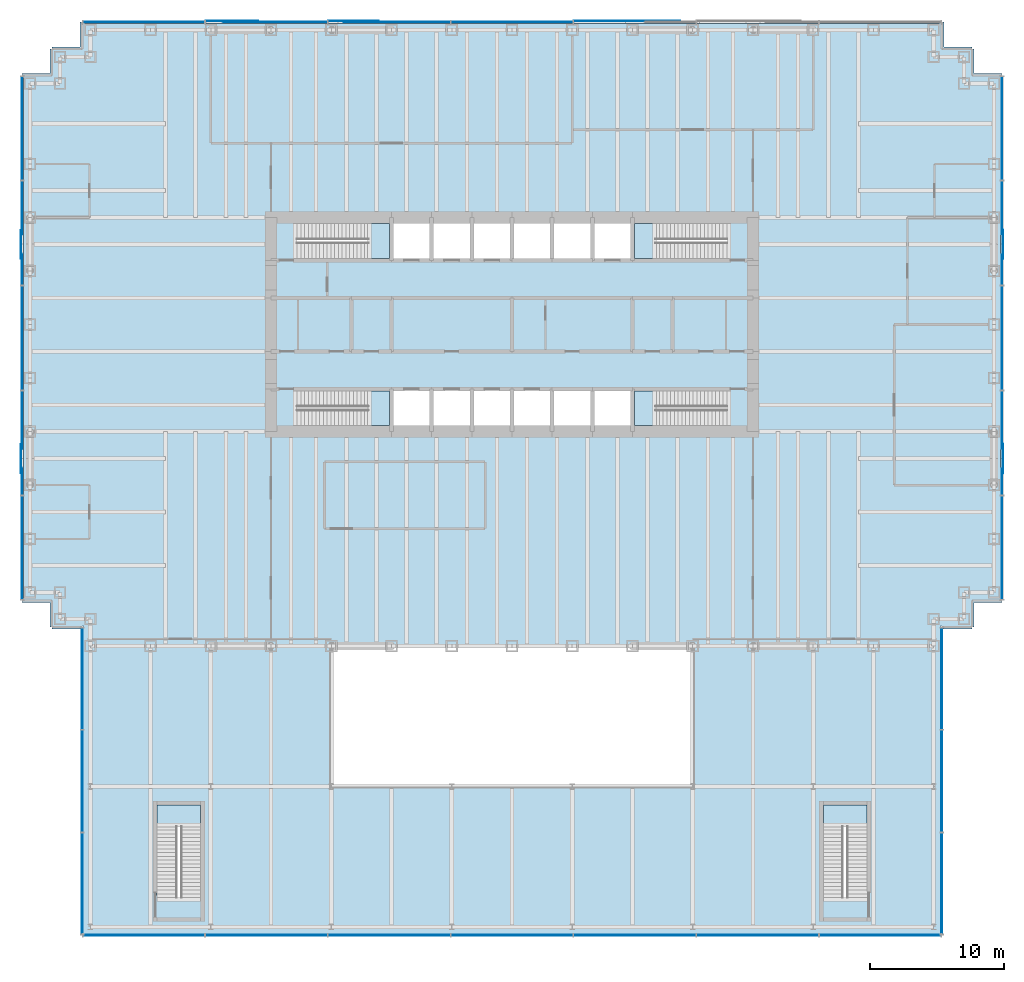
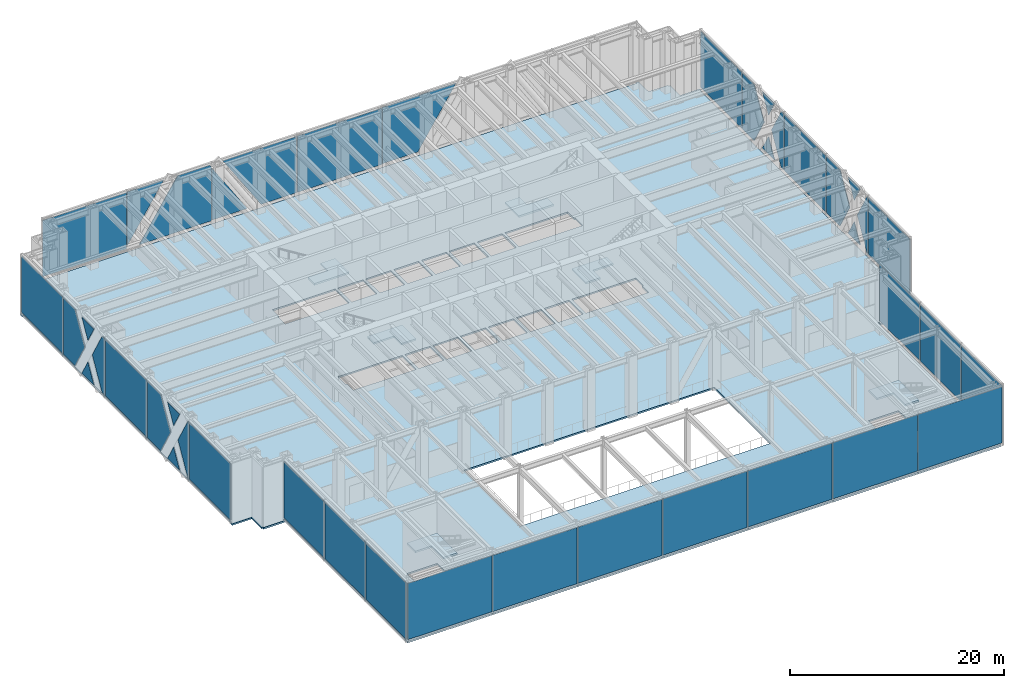
# One storey, part 11 of 17: 42 plates, 7 slabs, 12 elements without a shape of their own.
"""IFC4 building model written with IfcOpenShell, lengths in metres."""

from ifc_helpers import new_model, si_unit, direction, frame, origin, origin_2d, place, context, subcontext, project, spatial, polyline, rectangle, outline, extrude, material, layer, layer_set, type_object, element, aggregate, save


model = new_model("IFC4")

# Units and contexts
model_context = context("Model", 3, precision=1e-05, world=origin(), true_north=direction((0.0, 1.0)))
body_context = subcontext(model_context, "Body", "Model", "MODEL_VIEW")
ifc_project = project(units=[si_unit("LENGTHUNIT", "METRE"), si_unit("AREAUNIT", "SQUARE_METRE"), si_unit("VOLUMEUNIT", "CUBIC_METRE"), si_unit("PLANEANGLEUNIT", "RADIAN"), si_unit("MASSUNIT", "GRAM", prefix="KILO")], contexts=[model_context])

# Site, building, storey
site_placement = place(None, origin())
site = spatial("IfcSite", under=ifc_project, at=site_placement, CompositionType="ELEMENT")
building_placement = place(site_placement, origin())
building = spatial("IfcBuilding", under=site, at=building_placement, Name="Rheinbord Bourse Tower", CompositionType="ELEMENT")
storey_placement = place(building_placement, frame((0.0, 0.0, 6.0)))
storey = spatial("IfcBuildingStorey", under=building, at=storey_placement, Name="L01", CompositionType="ELEMENT", Elevation=6.0)

# Slab
ifc_material_1 = material(Name="Concrete C30/37", Category="concrete")
ifc_layer_1 = layer(ifc_material_1, 0.179931640625)
ifc_layer_set_1 = layer_set([ifc_layer_1], Name="COMPOSITE FLOOR SLAB 180")
slab_type_1 = type_object("IfcSlabType", Name="COMPOSITE FLOOR SLAB 180", PredefinedType="FLOOR", material=ifc_layer_set_1)
slab_1_placement = place(storey_placement, frame((0.0, 0.0, -0.179931640625)))
element("IfcSlab", 1, at=slab_1_placement, inside=storey, type_object=slab_type_1, Name="Floor slab L01", PredefinedType="FLOOR", context=body_context, shape_type="SweptSolid", body=[
    extrude(outline(polyline([(1.64990234375, 1.39990234375), (1.5, 1.39990234375), (1.5, 3.25), (-0.60009765625, 3.25), (-0.60009765625, 3.550048828125), (-0.5, 3.550048828125), (-0.5, 42.449951171875), (-0.60009765625, 42.449951171875), (-0.60009765625, 42.75), (1.5, 42.75), (1.5, 44.60009765625), (1.64990234375, 44.60009765625), (1.64990234375, 44.75), (3.75, 44.75), (3.75, 46.60009765625), (4.050048828125, 46.60009765625), (4.050048828125, 46.5), (67.949951171875, 46.5), (67.949951171875, 46.60009765625), (68.25, 46.60009765625), (68.25, 44.75), (70.35009765625, 44.75), (70.35009765625, 44.60009765625), (70.5, 44.60009765625), (70.5, 42.75), (72.60009765625, 42.75), (72.60009765625, 42.449951171875), (72.5, 42.449951171875), (72.5, 3.550048828125), (72.60009765625, 3.550048828125), (72.60009765625, 3.25), (70.5, 3.25), (70.5, 1.39990234375), (70.35009765625, 1.39990234375), (70.35009765625, 1.25), (68.10009765625, 1.25), (68.10009765625, 1.5), (68.0, 1.5), (68.0, -21.5), (4.0, -21.5), (4.0, 1.5), (3.89990234375, 1.5), (3.89990234375, 1.25), (1.64990234375, 1.25), (1.64990234375, 1.39990234375)]), holes=[polyline([(19.949951171875, 19.050048828125), (26.85009765625, 19.050048828125), (26.85009765625, 16.449951171875), (20.10009765625, 16.449951171875), (20.10009765625, 17.64990234375), (19.949951171875, 17.64990234375), (19.949951171875, 19.050048828125)]), polyline([(26.85009765625, 31.550048828125), (26.85009765625, 28.949951171875), (19.949951171875, 28.949951171875), (19.949951171875, 30.35009765625), (20.10009765625, 30.35009765625), (20.10009765625, 31.550048828125), (26.85009765625, 31.550048828125)]), polyline([(45.14990234375, 16.449951171875), (45.14990234375, 19.050048828125), (52.050048828125, 19.050048828125), (52.050048828125, 17.64990234375), (51.89990234375, 17.64990234375), (51.89990234375, 16.449951171875), (45.14990234375, 16.449951171875)]), polyline([(52.050048828125, 28.949951171875), (45.14990234375, 28.949951171875), (45.14990234375, 31.550048828125), (51.89990234375, 31.550048828125), (51.89990234375, 30.35009765625), (52.050048828125, 30.35009765625), (52.050048828125, 28.949951171875)]), polyline([(9.5, -11.89990234375), (12.75, -11.89990234375), (12.75, -18.800048828125), (11.0, -18.800048828125), (11.0, -18.64990234375), (9.5, -18.64990234375), (9.5, -11.89990234375)]), polyline([(59.25, -11.89990234375), (62.5, -11.89990234375), (62.5, -18.800048828125), (60.75, -18.800048828125), (60.75, -18.64990234375), (59.25, -18.64990234375), (59.25, -11.89990234375)]), polyline([(22.5, -10.5), (22.5, 0.0), (49.5, 0.0), (49.5, -10.5), (22.5, -10.5)]), polyline([(27.14990234375, 16.449951171875), (27.14990234375, 19.050048828125), (29.85009765625, 19.050048828125), (29.85009765625, 16.449951171875), (27.14990234375, 16.449951171875)]), polyline([(27.14990234375, 28.949951171875), (27.14990234375, 31.550048828125), (29.85009765625, 31.550048828125), (29.85009765625, 28.949951171875), (27.14990234375, 28.949951171875)]), polyline([(30.14990234375, 16.449951171875), (30.14990234375, 19.050048828125), (32.85009765625, 19.050048828125), (32.85009765625, 16.449951171875), (30.14990234375, 16.449951171875)]), polyline([(30.14990234375, 28.949951171875), (30.14990234375, 31.550048828125), (32.85009765625, 31.550048828125), (32.85009765625, 28.949951171875), (30.14990234375, 28.949951171875)]), polyline([(33.14990234375, 16.449951171875), (33.14990234375, 19.050048828125), (35.85009765625, 19.050048828125), (35.85009765625, 16.449951171875), (33.14990234375, 16.449951171875)]), polyline([(33.14990234375, 28.949951171875), (33.14990234375, 31.550048828125), (35.85009765625, 31.550048828125), (35.85009765625, 28.949951171875), (33.14990234375, 28.949951171875)]), polyline([(36.14990234375, 16.449951171875), (36.14990234375, 19.050048828125), (38.85009765625, 19.050048828125), (38.85009765625, 16.449951171875), (36.14990234375, 16.449951171875)]), polyline([(36.14990234375, 28.949951171875), (36.14990234375, 31.550048828125), (38.85009765625, 31.550048828125), (38.85009765625, 28.949951171875), (36.14990234375, 28.949951171875)]), polyline([(39.14990234375, 16.449951171875), (39.14990234375, 19.050048828125), (41.85009765625, 19.050048828125), (41.85009765625, 16.449951171875), (39.14990234375, 16.449951171875)]), polyline([(39.14990234375, 28.949951171875), (39.14990234375, 31.550048828125), (41.85009765625, 31.550048828125), (41.85009765625, 28.949951171875), (39.14990234375, 28.949951171875)]), polyline([(42.14990234375, 16.449951171875), (42.14990234375, 19.050048828125), (44.85009765625, 19.050048828125), (44.85009765625, 16.449951171875), (42.14990234375, 16.449951171875)]), polyline([(42.14990234375, 28.949951171875), (42.14990234375, 31.550048828125), (44.85009765625, 31.550048828125), (44.85009765625, 28.949951171875), (42.14990234375, 28.949951171875)])]), origin(), (0.0, 0.0, 1.0), 0.179931640625),
])

# Curtain wall, plates
ifc_material_2 = material(Name="Dark glass and black aluminium", Category="aluminium")
curtain_wall_type = type_object("IfcCurtainWallType", Name="CW4 DARK GLASS CURTAIN WALL", PredefinedType="USERDEFINED", material=ifc_material_2)
curtain_wall_1_placement = place(storey_placement, origin())
curtain_wall_1 = element("IfcCurtainWall", 2, at=curtain_wall_1_placement, inside=storey, type_object=curtain_wall_type, Name="Curtain wall CW4 S L01", ObjectType="UNITISED CURTAIN WALL", PredefinedType="USERDEFINED")
ifc_material_3 = material(Name="Dark tinted triple insulating glass", Category="glass")
ifc_layer_2 = layer(ifc_material_3, 0.068115234375)
ifc_layer_set_2 = layer_set([ifc_layer_2], Name="CW4 DARK GLASS PANEL")
plate_type = type_object("IfcPlateType", Name="CW4 DARK GLASS PANEL", PredefinedType="CURTAIN_PANEL", material=ifc_layer_set_2)
plate_1_placement = place(storey_placement, frame((8.50830078125, -21.60009765625, 0.300048828125), z_axis=(0.0, 0.0, 1.0), x_axis=(1.0, 0.0, 0.0)))
plate_1 = element("IfcPlate", 3, at=plate_1_placement, type_object=plate_type, Name="CW4 panel 1.1", PredefinedType="CURTAIN_PANEL", context=body_context, shape_type="SweptSolid", body=[
    extrude(rectangle(XDim=9.036376953125, YDim=0.068115234375, at=origin_2d()), origin(), (0.0, 0.0, 1.0), 6.39990234375),
])
plate_2_placement = place(storey_placement, frame((17.6572265625, -21.60009765625, 0.300048828125), z_axis=(0.0, 0.0, 1.0), x_axis=(1.0, 0.0, 0.0)))
plate_2 = element("IfcPlate", 4, at=plate_2_placement, type_object=plate_type, Name="CW4 panel 2.1", PredefinedType="CURTAIN_PANEL", context=body_context, shape_type="SweptSolid", body=[
    extrude(rectangle(XDim=9.08154296875, YDim=0.068115234375, at=origin_2d()), origin(), (0.0, 0.0, 1.0), 6.39990234375),
])
plate_3_placement = place(storey_placement, frame((26.82861328125, -21.60009765625, 0.300048828125), z_axis=(0.0, 0.0, 1.0), x_axis=(1.0, 0.0, 0.0)))
plate_3 = element("IfcPlate", 5, at=plate_3_placement, type_object=plate_type, Name="CW4 panel 3.1", PredefinedType="CURTAIN_PANEL", context=body_context, shape_type="SweptSolid", body=[
    extrude(rectangle(XDim=9.08154296875, YDim=0.068115234375, at=origin_2d()), origin(), (0.0, 0.0, 1.0), 6.39990234375),
])
plate_4_placement = place(storey_placement, frame((36.0, -21.60009765625, 0.300048828125), z_axis=(0.0, 0.0, 1.0), x_axis=(1.0, 0.0, 0.0)))
plate_4 = element("IfcPlate", 6, at=plate_4_placement, type_object=plate_type, Name="CW4 panel 4.1", PredefinedType="CURTAIN_PANEL", context=body_context, shape_type="SweptSolid", body=[
    extrude(rectangle(XDim=9.08154296875, YDim=0.068115234375, at=origin_2d()), origin(), (0.0, 0.0, 1.0), 6.39990234375),
])
plate_5_placement = place(storey_placement, frame((45.17138671875, -21.60009765625, 0.300048828125), z_axis=(0.0, 0.0, 1.0), x_axis=(1.0, 0.0, 0.0)))
plate_5 = element("IfcPlate", 7, at=plate_5_placement, type_object=plate_type, Name="CW4 panel 5.1", PredefinedType="CURTAIN_PANEL", context=body_context, shape_type="SweptSolid", body=[
    extrude(rectangle(XDim=9.08154296875, YDim=0.068115234375, at=origin_2d()), origin(), (0.0, 0.0, 1.0), 6.39990234375),
])
plate_6_placement = place(storey_placement, frame((54.3427734375, -21.60009765625, 0.300048828125), z_axis=(0.0, 0.0, 1.0), x_axis=(1.0, 0.0, 0.0)))
plate_6 = element("IfcPlate", 8, at=plate_6_placement, type_object=plate_type, Name="CW4 panel 6.1", PredefinedType="CURTAIN_PANEL", context=body_context, shape_type="SweptSolid", body=[
    extrude(rectangle(XDim=9.08154296875, YDim=0.068115234375, at=origin_2d()), origin(), (0.0, 0.0, 1.0), 6.39990234375),
])
plate_7_placement = place(storey_placement, frame((63.49169921875, -21.60009765625, 0.300048828125), z_axis=(0.0, 0.0, 1.0), x_axis=(1.0, 0.0, 0.0)))
plate_7 = element("IfcPlate", 9, at=plate_7_placement, type_object=plate_type, Name="CW4 panel 7.1", PredefinedType="CURTAIN_PANEL", context=body_context, shape_type="SweptSolid", body=[
    extrude(rectangle(XDim=9.036376953125, YDim=0.068115234375, at=origin_2d()), origin(), (0.0, 0.0, 1.0), 6.39990234375),
])
aggregate(curtain_wall_1, [plate_1, plate_2, plate_3, plate_4, plate_5, plate_6, plate_7])

curtain_wall_2_placement = place(storey_placement, origin())
curtain_wall_2 = element("IfcCurtainWall", 10, at=curtain_wall_2_placement, inside=storey, type_object=curtain_wall_type, Name="Curtain wall CW4 E L01", ObjectType="UNITISED CURTAIN WALL", PredefinedType="USERDEFINED")
plate_8_placement = place(storey_placement, frame((68.10009765625, -17.744140625, 0.300048828125), z_axis=(0.0, 0.0, 1.0), x_axis=(0.0, 1.0, 0.0)))
plate_8 = element("IfcPlate", 11, at=plate_8_placement, type_object=plate_type, Name="CW4 panel 1.1", PredefinedType="CURTAIN_PANEL", context=body_context, shape_type="SweptSolid", body=[
    extrude(rectangle(XDim=7.53173828125, YDim=0.068115234375, at=origin_2d()), origin(), (0.0, 0.0, 1.0), 6.39990234375),
])
plate_9_placement = place(storey_placement, frame((68.10009765625, -10.10009765625, 0.300048828125), z_axis=(0.0, 0.0, 1.0), x_axis=(0.0, 1.0, 0.0)))
plate_9 = element("IfcPlate", 12, at=plate_9_placement, type_object=plate_type, Name="CW4 panel 2.1", PredefinedType="CURTAIN_PANEL", context=body_context, shape_type="SweptSolid", body=[
    extrude(rectangle(XDim=7.57666015625, YDim=0.068115234375, at=origin_2d()), origin(), (0.0, 0.0, 1.0), 6.39990234375),
])
plate_10_placement = place(storey_placement, frame((68.10009765625, -2.455810546875, 0.300048828125), z_axis=(0.0, 0.0, 1.0), x_axis=(0.0, 1.0, 0.0)))
plate_10 = element("IfcPlate", 13, at=plate_10_placement, type_object=plate_type, Name="CW4 panel 3.1", PredefinedType="CURTAIN_PANEL", context=body_context, shape_type="SweptSolid", body=[
    extrude(rectangle(XDim=7.53173828125, YDim=0.068115234375, at=origin_2d()), origin(), (0.0, 0.0, 1.0), 6.39990234375),
])
aggregate(curtain_wall_2, [plate_8, plate_9, plate_10])

curtain_wall_3_placement = place(storey_placement, origin())
curtain_wall_3 = element("IfcCurtainWall", 14, at=curtain_wall_3_placement, inside=storey, type_object=curtain_wall_type, Name="Curtain wall CW4 E L01", ObjectType="UNITISED CURTAIN WALL", PredefinedType="USERDEFINED")
plate_11_placement = place(storey_placement, frame((72.60009765625, 7.342529296875, 0.300048828125), z_axis=(0.0, 0.0, 1.0), x_axis=(0.0, 1.0, 0.0)))
plate_11 = element("IfcPlate", 15, at=plate_11_placement, type_object=plate_type, Name="CW4 panel 1.1", PredefinedType="CURTAIN_PANEL", context=body_context, shape_type="SweptSolid", body=[
    extrude(rectangle(XDim=7.705078125, YDim=0.068115234375, at=origin_2d()), origin(), (0.0, 0.0, 1.0), 6.39990234375),
])
plate_12_placement = place(storey_placement, frame((72.60009765625, 23.0, 0.300048828125), z_axis=(0.0, 0.0, 1.0), x_axis=(0.0, 1.0, 0.0)))
plate_12 = element("IfcPlate", 16, at=plate_12_placement, type_object=plate_type, Name="CW4 panel 3.1", PredefinedType="CURTAIN_PANEL", context=body_context, shape_type="SweptSolid", body=[
    extrude(rectangle(XDim=7.75, YDim=0.068115234375, at=origin_2d()), origin(), (0.0, 0.0, 1.0), 6.39990234375),
])
plate_13_placement = place(storey_placement, frame((72.60009765625, 38.657470703125, 0.300048828125), z_axis=(0.0, 0.0, 1.0), x_axis=(0.0, 1.0, 0.0)))
plate_13 = element("IfcPlate", 17, at=plate_13_placement, type_object=plate_type, Name="CW4 panel 5.1", PredefinedType="CURTAIN_PANEL", context=body_context, shape_type="SweptSolid", body=[
    extrude(rectangle(XDim=7.705078125, YDim=0.068115234375, at=origin_2d()), origin(), (0.0, 0.0, 1.0), 6.39990234375),
])
plate_14_placement = place(storey_placement, frame((72.63427734375, 11.284912109375, 0.300048828125), z_axis=(-1.0, 0.0, 0.0), x_axis=(0.0, 0.0, 1.0)))
plate_14 = element("IfcPlate", 18, at=plate_14_placement, type_object=plate_type, Name="CW4 glass facet 1", PredefinedType="CURTAIN_PANEL", context=body_context, shape_type="SweptSolid", body=[
    extrude(outline(polyline([(0.0, 0.0), (6.39990234375, 0.0), (6.39990234375, 0.190185546875), (3.199951171875, 2.01806640625), (0.0, 0.190185546875), (0.0, 0.0)])), origin(), (0.0, 0.0, 1.0), 0.068115234375),
])
plate_15_placement = place(storey_placement, frame((72.70703125, 12.867919921875, 0.300048828125), z_axis=(-1.0, 0.0, 0.0), x_axis=(0.0, 0.496173508205, 0.868223387012)))
plate_15 = element("IfcPlate", 19, at=plate_15_placement, type_object=plate_type, Name="CW4 glass facet 2", PredefinedType="CURTAIN_PANEL", context=body_context, shape_type="SweptSolid", body=[
    extrude(outline(polyline([(0.0, 0.0), (2.28173828125, 0.0), (1.12353515625, 1.9658203125), (0.0, 0.0)])), origin(), (0.0, 0.0, 1.0), 0.068115234375),
])
plate_16_placement = place(storey_placement, frame((72.70703125, 15.132080078125, 6.699951171875), z_axis=(-1.0, 0.0, 0.0), x_axis=(0.0, -0.496173508205, -0.868223387012)))
plate_16 = element("IfcPlate", 20, at=plate_16_placement, type_object=plate_type, Name="CW4 glass facet 3", PredefinedType="CURTAIN_PANEL", context=body_context, shape_type="SweptSolid", body=[
    extrude(outline(polyline([(0.0, 0.0), (2.28173828125, 0.0), (1.12353515625, 1.9658203125), (0.0, 0.0)])), origin(), (0.0, 0.0, 1.0), 0.068115234375),
])
plate_17_placement = place(storey_placement, frame((72.63427734375, 19.034912109375, 6.699951171875), z_axis=(-1.0, 0.0, 0.0), x_axis=(0.0, 0.0, -1.0)))
plate_17 = element("IfcPlate", 21, at=plate_17_placement, type_object=plate_type, Name="CW4 glass facet 4", PredefinedType="CURTAIN_PANEL", context=body_context, shape_type="SweptSolid", body=[
    extrude(outline(polyline([(0.0, 0.0), (6.39990234375, 0.0), (6.39990234375, 2.510009765625), (3.199951171875, 4.337890625), (0.0, 2.510009765625), (0.0, 0.0)])), origin(), (0.0, 0.0, 1.0), 0.068115234375),
])
plate_18_placement = place(storey_placement, frame((72.63427734375, 26.965087890625, 0.300048828125), z_axis=(-1.0, 0.0, 0.0), x_axis=(0.0, 0.0, 1.0)))
plate_18 = element("IfcPlate", 22, at=plate_18_placement, type_object=plate_type, Name="CW4 glass facet 1", PredefinedType="CURTAIN_PANEL", context=body_context, shape_type="SweptSolid", body=[
    extrude(outline(polyline([(0.0, 0.0), (6.39990234375, 0.0), (6.39990234375, 0.510009765625), (3.199951171875, 2.337890625), (0.0, 0.510009765625), (0.0, 0.0)])), origin(), (0.0, 0.0, 1.0), 0.068115234375),
])
plate_19_placement = place(storey_placement, frame((72.70703125, 28.867919921875, 0.300048828125), z_axis=(-1.0, 0.0, 0.0), x_axis=(0.0, 0.496173508205, 0.868223387012)))
plate_19 = element("IfcPlate", 23, at=plate_19_placement, type_object=plate_type, Name="CW4 glass facet 2", PredefinedType="CURTAIN_PANEL", context=body_context, shape_type="SweptSolid", body=[
    extrude(outline(polyline([(0.0, 0.0), (2.28173828125, 0.0), (1.12353515625, 1.9658203125), (0.0, 0.0)])), origin(), (0.0, 0.0, 1.0), 0.068115234375),
])
plate_20_placement = place(storey_placement, frame((72.70703125, 31.132080078125, 6.699951171875), z_axis=(-1.0, 0.0, 0.0), x_axis=(0.0, -0.496173508205, -0.868223387012)))
plate_20 = element("IfcPlate", 24, at=plate_20_placement, type_object=plate_type, Name="CW4 glass facet 3", PredefinedType="CURTAIN_PANEL", context=body_context, shape_type="SweptSolid", body=[
    extrude(outline(polyline([(0.0, 0.0), (2.28173828125, 0.0), (1.12353515625, 1.9658203125), (0.0, 0.0)])), origin(), (0.0, 0.0, 1.0), 0.068115234375),
])
plate_21_placement = place(storey_placement, frame((72.63427734375, 34.715087890625, 6.699951171875), z_axis=(-1.0, 0.0, 0.0), x_axis=(0.0, 0.0, -1.0)))
plate_21 = element("IfcPlate", 25, at=plate_21_placement, type_object=plate_type, Name="CW4 glass facet 4", PredefinedType="CURTAIN_PANEL", context=body_context, shape_type="SweptSolid", body=[
    extrude(outline(polyline([(0.0, 0.0), (6.39990234375, 0.0), (6.39990234375, 2.190185546875), (3.199951171875, 4.01806640625), (0.0, 2.190185546875), (0.0, 0.0)])), origin(), (0.0, 0.0, 1.0), 0.068115234375),
])
aggregate(curtain_wall_3, [plate_11, plate_12, plate_13, plate_14, plate_15, plate_16, plate_17, plate_18, plate_19, plate_20, plate_21])

curtain_wall_4_placement = place(storey_placement, origin())
curtain_wall_4 = element("IfcCurtainWall", 26, at=curtain_wall_4_placement, inside=storey, type_object=curtain_wall_type, Name="Curtain wall CW4 N L01", ObjectType="UNITISED CURTAIN WALL", PredefinedType="USERDEFINED")
plate_22_placement = place(storey_placement, frame((36.0, 46.60009765625, 0.300048828125), z_axis=(0.0, 0.0, 1.0), x_axis=(-1.0, 0.0, 0.0)))
plate_22 = element("IfcPlate", 27, at=plate_22_placement, type_object=plate_type, Name="CW4 panel 4.1", PredefinedType="CURTAIN_PANEL", context=body_context, shape_type="SweptSolid", body=[
    extrude(rectangle(XDim=9.08154296875, YDim=0.068115234375, at=origin_2d()), origin(), (0.0, 0.0, 1.0), 6.39990234375),
])
plate_23_placement = place(storey_placement, frame((40.631103515625, 46.70703125, 6.699951171875), z_axis=(0.0, -1.0, 0.0), x_axis=(0.0, 0.0, -1.0)))
plate_23 = element("IfcPlate", 28, at=plate_23_placement, type_object=plate_type, Name="CW4 glass facet 2", PredefinedType="CURTAIN_PANEL", context=body_context, shape_type="SweptSolid", body=[
    extrude(outline(polyline([(0.0, 0.0), (6.39990234375, 0.0), (6.39990234375, 3.843017578125), (0.0, 7.956787109375), (0.0, 0.0)])), origin(), (0.0, 0.0, 1.0), 0.068115234375),
])
plate_24_placement = place(storey_placement, frame((31.368896484375, 46.63427734375, 0.300048828125), z_axis=(0.0, -1.0, 0.0), x_axis=(0.0, 0.0, 1.0)))
plate_24 = element("IfcPlate", 29, at=plate_24_placement, type_object=plate_type, Name="CW4 glass facet 1", PredefinedType="CURTAIN_PANEL", context=body_context, shape_type="SweptSolid", body=[
    extrude(outline(polyline([(0.0, 0.0), (6.39990234375, 0.0), (6.39990234375, 7.956787109375), (0.0, 3.843017578125), (0.0, 0.0)])), origin(), (0.0, 0.0, 1.0), 0.068115234375),
])
plate_25_placement = place(storey_placement, frame((22.2880859375, 46.70703125, 0.300048828125), z_axis=(0.0, -1.0, 0.0), x_axis=(1.0, 0.0, 0.0)))
plate_25 = element("IfcPlate", 30, at=plate_25_placement, type_object=plate_type, Name="CW4 glass facet 2", PredefinedType="CURTAIN_PANEL", context=body_context, shape_type="SweptSolid", body=[
    extrude(outline(polyline([(0.0, 0.0), (3.7998046875, 0.0), (0.0, 5.910888671875), (0.0, 0.0)])), origin(), (0.0, 0.0, 1.0), 0.068115234375),
])
plate_26_placement = place(storey_placement, frame((22.197998046875, 46.63427734375, 0.300048828125), z_axis=(0.0, -1.0, 0.0), x_axis=(0.0, 0.0, 1.0)))
plate_26 = element("IfcPlate", 31, at=plate_26_placement, type_object=plate_type, Name="CW4 glass facet 1", PredefinedType="CURTAIN_PANEL", context=body_context, shape_type="SweptSolid", body=[
    extrude(outline(polyline([(0.0, 0.0), (6.051025390625, 0.0), (6.39990234375, 0.223876953125), (6.39990234375, 3.672119140625), (0.0, 7.785888671875), (0.0, 0.0)])), origin(), (0.0, 0.0, 1.0), 0.068115234375),
])
plate_27_placement = place(storey_placement, frame((13.115966796875, 46.70703125, 6.699951171875), z_axis=(0.0, -1.0, 0.0), x_axis=(0.0, 0.0, -1.0)))
plate_27 = element("IfcPlate", 32, at=plate_27_placement, type_object=plate_type, Name="CW4 glass facet 2", PredefinedType="CURTAIN_PANEL", context=body_context, shape_type="SweptSolid", body=[
    extrude(outline(polyline([(0.0, 0.0), (6.177978515625, 0.0), (0.0, 3.971923828125), (0.0, 0.0)])), origin(), (0.0, 0.0, 1.0), 0.068115234375),
])
plate_28_placement = place(storey_placement, frame((13.02587890625, 46.63427734375, 6.699951171875), z_axis=(0.0, -1.0, 0.0), x_axis=(-1.0, 0.0, 0.0)))
plate_28 = element("IfcPlate", 33, at=plate_28_placement, type_object=plate_type, Name="CW4 glass facet 1", PredefinedType="CURTAIN_PANEL", context=body_context, shape_type="SweptSolid", body=[
    extrude(outline(polyline([(0.0, 0.0), (9.035888671875, 0.0), (9.035888671875, 6.39990234375), (0.0517578125, 6.39990234375), (0.0, 6.31787109375), (0.0, 0.0)])), origin(), (0.0, 0.0, 1.0), 0.068115234375),
])
aggregate(curtain_wall_4, [plate_22, plate_23, plate_24, plate_25, plate_26, plate_27, plate_28])

curtain_wall_5_placement = place(storey_placement, origin())
curtain_wall_5 = element("IfcCurtainWall", 34, at=curtain_wall_5_placement, inside=storey, type_object=curtain_wall_type, Name="Curtain wall CW4 W L01", ObjectType="UNITISED CURTAIN WALL", PredefinedType="USERDEFINED")
plate_29_placement = place(storey_placement, frame((-0.60009765625, 38.657470703125, 0.300048828125), z_axis=(0.0, 0.0, 1.0), x_axis=(0.0, -1.0, 0.0)))
plate_29 = element("IfcPlate", 35, at=plate_29_placement, type_object=plate_type, Name="CW4 panel 1.1", PredefinedType="CURTAIN_PANEL", context=body_context, shape_type="SweptSolid", body=[
    extrude(rectangle(XDim=7.705078125, YDim=0.068115234375, at=origin_2d()), origin(), (0.0, 0.0, 1.0), 6.39990234375),
])
plate_30_placement = place(storey_placement, frame((-0.60009765625, 23.0, 0.300048828125), z_axis=(0.0, 0.0, 1.0), x_axis=(0.0, -1.0, 0.0)))
plate_30 = element("IfcPlate", 36, at=plate_30_placement, type_object=plate_type, Name="CW4 panel 3.1", PredefinedType="CURTAIN_PANEL", context=body_context, shape_type="SweptSolid", body=[
    extrude(rectangle(XDim=7.75, YDim=0.068115234375, at=origin_2d()), origin(), (0.0, 0.0, 1.0), 6.39990234375),
])
plate_31_placement = place(storey_placement, frame((-0.60009765625, 7.342529296875, 0.300048828125), z_axis=(0.0, 0.0, 1.0), x_axis=(0.0, -1.0, 0.0)))
plate_31 = element("IfcPlate", 37, at=plate_31_placement, type_object=plate_type, Name="CW4 panel 5.1", PredefinedType="CURTAIN_PANEL", context=body_context, shape_type="SweptSolid", body=[
    extrude(rectangle(XDim=7.705078125, YDim=0.068115234375, at=origin_2d()), origin(), (0.0, 0.0, 1.0), 6.39990234375),
])
plate_32_placement = place(storey_placement, frame((-0.63427734375, 34.715087890625, 0.300048828125), z_axis=(1.0, 0.0, 0.0), x_axis=(0.0, 0.0, 1.0)))
plate_32 = element("IfcPlate", 38, at=plate_32_placement, type_object=plate_type, Name="CW4 glass facet 1", PredefinedType="CURTAIN_PANEL", context=body_context, shape_type="SweptSolid", body=[
    extrude(outline(polyline([(0.0, 0.0), (6.39990234375, 0.0), (6.39990234375, 2.190185546875), (3.199951171875, 4.01806640625), (0.0, 2.190185546875), (0.0, 0.0)])), origin(), (0.0, 0.0, 1.0), 0.068115234375),
])
plate_33_placement = place(storey_placement, frame((-0.70703125, 31.132080078125, 0.300048828125), z_axis=(1.0, 0.0, 0.0), x_axis=(0.0, -0.496173508205, 0.868223387012)))
plate_33 = element("IfcPlate", 39, at=plate_33_placement, type_object=plate_type, Name="CW4 glass facet 2", PredefinedType="CURTAIN_PANEL", context=body_context, shape_type="SweptSolid", body=[
    extrude(outline(polyline([(0.0, 0.0), (2.28173828125, 0.0), (1.12353515625, 1.9658203125), (0.0, 0.0)])), origin(), (0.0, 0.0, 1.0), 0.068115234375),
])
plate_34_placement = place(storey_placement, frame((-0.70703125, 28.867919921875, 6.699951171875), z_axis=(1.0, 0.0, 0.0), x_axis=(0.0, 0.496173508205, -0.868223387012)))
plate_34 = element("IfcPlate", 40, at=plate_34_placement, type_object=plate_type, Name="CW4 glass facet 3", PredefinedType="CURTAIN_PANEL", context=body_context, shape_type="SweptSolid", body=[
    extrude(outline(polyline([(0.0, 0.0), (2.28173828125, 0.0), (1.12353515625, 1.9658203125), (0.0, 0.0)])), origin(), (0.0, 0.0, 1.0), 0.068115234375),
])
plate_35_placement = place(storey_placement, frame((-0.63427734375, 26.965087890625, 6.699951171875), z_axis=(1.0, 0.0, 0.0), x_axis=(0.0, 0.0, -1.0)))
plate_35 = element("IfcPlate", 41, at=plate_35_placement, type_object=plate_type, Name="CW4 glass facet 4", PredefinedType="CURTAIN_PANEL", context=body_context, shape_type="SweptSolid", body=[
    extrude(outline(polyline([(0.0, 0.0), (6.39990234375, 0.0), (6.39990234375, 0.510009765625), (3.199951171875, 2.337890625), (0.0, 0.510009765625), (0.0, 0.0)])), origin(), (0.0, 0.0, 1.0), 0.068115234375),
])
plate_36_placement = place(storey_placement, frame((-0.63427734375, 19.034912109375, 0.300048828125), z_axis=(1.0, 0.0, 0.0), x_axis=(0.0, 0.0, 1.0)))
plate_36 = element("IfcPlate", 42, at=plate_36_placement, type_object=plate_type, Name="CW4 glass facet 1", PredefinedType="CURTAIN_PANEL", context=body_context, shape_type="SweptSolid", body=[
    extrude(outline(polyline([(0.0, 0.0), (6.39990234375, 0.0), (6.39990234375, 2.510009765625), (3.199951171875, 4.337890625), (0.0, 2.510009765625), (0.0, 0.0)])), origin(), (0.0, 0.0, 1.0), 0.068115234375),
])
plate_37_placement = place(storey_placement, frame((-0.70703125, 15.132080078125, 0.300048828125), z_axis=(1.0, 0.0, 0.0), x_axis=(0.0, -0.496173508205, 0.868223387012)))
plate_37 = element("IfcPlate", 43, at=plate_37_placement, type_object=plate_type, Name="CW4 glass facet 2", PredefinedType="CURTAIN_PANEL", context=body_context, shape_type="SweptSolid", body=[
    extrude(outline(polyline([(0.0, 0.0), (2.28173828125, 0.0), (1.12353515625, 1.9658203125), (0.0, 0.0)])), origin(), (0.0, 0.0, 1.0), 0.068115234375),
])
plate_38_placement = place(storey_placement, frame((-0.70703125, 12.867919921875, 6.699951171875), z_axis=(1.0, 0.0, 0.0), x_axis=(0.0, 0.496173508205, -0.868223387012)))
plate_38 = element("IfcPlate", 44, at=plate_38_placement, type_object=plate_type, Name="CW4 glass facet 3", PredefinedType="CURTAIN_PANEL", context=body_context, shape_type="SweptSolid", body=[
    extrude(outline(polyline([(0.0, 0.0), (2.28173828125, 0.0), (1.12353515625, 1.9658203125), (0.0, 0.0)])), origin(), (0.0, 0.0, 1.0), 0.068115234375),
])
plate_39_placement = place(storey_placement, frame((-0.63427734375, 11.284912109375, 6.699951171875), z_axis=(1.0, 0.0, 0.0), x_axis=(0.0, 0.0, -1.0)))
plate_39 = element("IfcPlate", 45, at=plate_39_placement, type_object=plate_type, Name="CW4 glass facet 4", PredefinedType="CURTAIN_PANEL", context=body_context, shape_type="SweptSolid", body=[
    extrude(outline(polyline([(0.0, 0.0), (6.39990234375, 0.0), (6.39990234375, 0.190185546875), (3.199951171875, 2.01806640625), (0.0, 0.190185546875), (0.0, 0.0)])), origin(), (0.0, 0.0, 1.0), 0.068115234375),
])
aggregate(curtain_wall_5, [plate_29, plate_30, plate_31, plate_32, plate_33, plate_34, plate_35, plate_36, plate_37, plate_38, plate_39])

curtain_wall_6_placement = place(storey_placement, origin())
curtain_wall_6 = element("IfcCurtainWall", 46, at=curtain_wall_6_placement, inside=storey, type_object=curtain_wall_type, Name="Curtain wall CW4 W L01", ObjectType="UNITISED CURTAIN WALL", PredefinedType="USERDEFINED")
plate_40_placement = place(storey_placement, frame((3.89990234375, -2.455810546875, 0.300048828125), z_axis=(0.0, 0.0, 1.0), x_axis=(0.0, -1.0, 0.0)))
plate_40 = element("IfcPlate", 47, at=plate_40_placement, type_object=plate_type, Name="CW4 panel 1.1", PredefinedType="CURTAIN_PANEL", context=body_context, shape_type="SweptSolid", body=[
    extrude(rectangle(XDim=7.53173828125, YDim=0.068115234375, at=origin_2d()), origin(), (0.0, 0.0, 1.0), 6.39990234375),
])
plate_41_placement = place(storey_placement, frame((3.89990234375, -10.10009765625, 0.300048828125), z_axis=(0.0, 0.0, 1.0), x_axis=(0.0, -1.0, 0.0)))
plate_41 = element("IfcPlate", 48, at=plate_41_placement, type_object=plate_type, Name="CW4 panel 2.1", PredefinedType="CURTAIN_PANEL", context=body_context, shape_type="SweptSolid", body=[
    extrude(rectangle(XDim=7.57666015625, YDim=0.068115234375, at=origin_2d()), origin(), (0.0, 0.0, 1.0), 6.39990234375),
])
plate_42_placement = place(storey_placement, frame((3.89990234375, -17.744140625, 0.300048828125), z_axis=(0.0, 0.0, 1.0), x_axis=(0.0, -1.0, 0.0)))
plate_42 = element("IfcPlate", 49, at=plate_42_placement, type_object=plate_type, Name="CW4 panel 3.1", PredefinedType="CURTAIN_PANEL", context=body_context, shape_type="SweptSolid", body=[
    extrude(rectangle(XDim=7.53173828125, YDim=0.068115234375, at=origin_2d()), origin(), (0.0, 0.0, 1.0), 6.39990234375),
])
aggregate(curtain_wall_6, [plate_40, plate_41, plate_42])

# Stair, slab
ifc_material_4 = material(Name="Concrete C30/37", Category="concrete")
stair_type_1 = type_object("IfcStairType", Name="CORE STAIR HALF TURN 7000", PredefinedType="HALF_TURN_STAIR", material=ifc_material_4)
stair_1_placement = place(storey_placement, origin())
stair_1 = element("IfcStair", 50, at=stair_1_placement, inside=storey, type_object=stair_type_1, Name="Stair ST1 L01, type CS2", PredefinedType="HALF_TURN_STAIR")
ifc_material_5 = material(Name="Concrete C30/37", Category="concrete")
ifc_layer_3 = layer(ifc_material_5, 0.199951171875)
ifc_layer_set_3 = layer_set([ifc_layer_3], Name="STAIR LANDING 200")
slab_type_2 = type_object("IfcSlabType", Name="STAIR LANDING 200", PredefinedType="LANDING", material=ifc_layer_set_3)
slab_2_placement = place(storey_placement, frame((0.0, 0.0, 3.300048828125)))
slab_2 = element("IfcSlab", 51, at=slab_2_placement, type_object=slab_type_2, Name="Half landing ST1 L01", PredefinedType="LANDING", context=body_context, shape_type="SweptSolid", body=[
    extrude(outline(polyline([(25.27001953125, 16.449951171875), (26.85009765625, 16.449951171875), (26.85009765625, 19.050048828125), (23.092041015625, 19.050048828125), (23.092041015625, 17.85009765625), (25.27001953125, 17.85009765625), (25.27001953125, 16.449951171875)])), origin(), (0.0, 0.0, 1.0), 0.199951171875),
])
aggregate(stair_1, [slab_2])

stair_2_placement = place(storey_placement, origin())
stair_2 = element("IfcStair", 52, at=stair_2_placement, inside=storey, type_object=stair_type_1, Name="Stair ST2 L01, type CS2", PredefinedType="HALF_TURN_STAIR")
slab_3_placement = place(storey_placement, frame((0.0, 0.0, 3.300048828125)))
slab_3 = element("IfcSlab", 53, at=slab_3_placement, type_object=slab_type_2, Name="Half landing ST2 L01", PredefinedType="LANDING", context=body_context, shape_type="SweptSolid", body=[
    extrude(outline(polyline([(23.092041015625, 28.949951171875), (26.85009765625, 28.949951171875), (26.85009765625, 31.550048828125), (25.27001953125, 31.550048828125), (25.27001953125, 30.14990234375), (23.092041015625, 30.14990234375), (23.092041015625, 28.949951171875)])), origin(), (0.0, 0.0, 1.0), 0.199951171875),
])
aggregate(stair_2, [slab_3])

stair_3_placement = place(storey_placement, origin())
stair_3 = element("IfcStair", 54, at=stair_3_placement, inside=storey, type_object=stair_type_1, Name="Stair ST3 L01, type CS2", PredefinedType="HALF_TURN_STAIR")
slab_4_placement = place(storey_placement, frame((0.0, 0.0, 3.300048828125)))
slab_4 = element("IfcSlab", 55, at=slab_4_placement, type_object=slab_type_2, Name="Half landing ST3 L01", PredefinedType="LANDING", context=body_context, shape_type="SweptSolid", body=[
    extrude(outline(polyline([(45.14990234375, 16.449951171875), (46.72998046875, 16.449951171875), (46.72998046875, 17.85009765625), (48.907958984375, 17.85009765625), (48.907958984375, 19.050048828125), (45.14990234375, 19.050048828125), (45.14990234375, 16.449951171875)])), origin(), (0.0, 0.0, 1.0), 0.199951171875),
])
aggregate(stair_3, [slab_4])

stair_4_placement = place(storey_placement, origin())
stair_4 = element("IfcStair", 56, at=stair_4_placement, inside=storey, type_object=stair_type_1, Name="Stair ST4 L01, type CS2", PredefinedType="HALF_TURN_STAIR")
slab_5_placement = place(storey_placement, frame((0.0, 0.0, 3.300048828125)))
slab_5 = element("IfcSlab", 57, at=slab_5_placement, type_object=slab_type_2, Name="Half landing ST4 L01", PredefinedType="LANDING", context=body_context, shape_type="SweptSolid", body=[
    extrude(outline(polyline([(45.14990234375, 28.949951171875), (48.907958984375, 28.949951171875), (48.907958984375, 30.14990234375), (46.72998046875, 30.14990234375), (46.72998046875, 31.550048828125), (45.14990234375, 31.550048828125), (45.14990234375, 28.949951171875)])), origin(), (0.0, 0.0, 1.0), 0.199951171875),
])
aggregate(stair_4, [slab_5])

ifc_material_6 = material(Name="Concrete C30/37", Category="concrete")
stair_type_2 = type_object("IfcStairType", Name="PODIUM STAIR HALF TURN", PredefinedType="HALF_TURN_STAIR", material=ifc_material_6)
stair_5_placement = place(storey_placement, origin())
stair_5 = element("IfcStair", 58, at=stair_5_placement, inside=storey, type_object=stair_type_2, Name="Stair ST5 L01, type PS1", PredefinedType="HALF_TURN_STAIR")
slab_6_placement = place(storey_placement, frame((0.0, 0.0, 3.300048828125)))
slab_6 = element("IfcSlab", 59, at=slab_6_placement, type_object=slab_type_2, Name="Half landing ST5 L01", PredefinedType="LANDING", context=body_context, shape_type="SweptSolid", body=[
    extrude(outline(polyline([(9.5, -13.47998046875), (11.25, -13.47998046875), (11.25, -15.657958984375), (12.75, -15.657958984375), (12.75, -11.89990234375), (9.5, -11.89990234375), (9.5, -13.47998046875)])), origin(), (0.0, 0.0, 1.0), 0.199951171875),
])
aggregate(stair_5, [slab_6])

stair_6_placement = place(storey_placement, origin())
stair_6 = element("IfcStair", 60, at=stair_6_placement, inside=storey, type_object=stair_type_2, Name="Stair ST6 L01, type PS1", PredefinedType="HALF_TURN_STAIR")
slab_7_placement = place(storey_placement, frame((0.0, 0.0, 3.300048828125)))
slab_7 = element("IfcSlab", 61, at=slab_7_placement, type_object=slab_type_2, Name="Half landing ST6 L01", PredefinedType="LANDING", context=body_context, shape_type="SweptSolid", body=[
    extrude(outline(polyline([(59.25, -13.47998046875), (61.0, -13.47998046875), (61.0, -15.657958984375), (62.5, -15.657958984375), (62.5, -11.89990234375), (59.25, -11.89990234375), (59.25, -13.47998046875)])), origin(), (0.0, 0.0, 1.0), 0.199951171875),
])
aggregate(stair_6, [slab_7])

save(model, "model.ifc")
